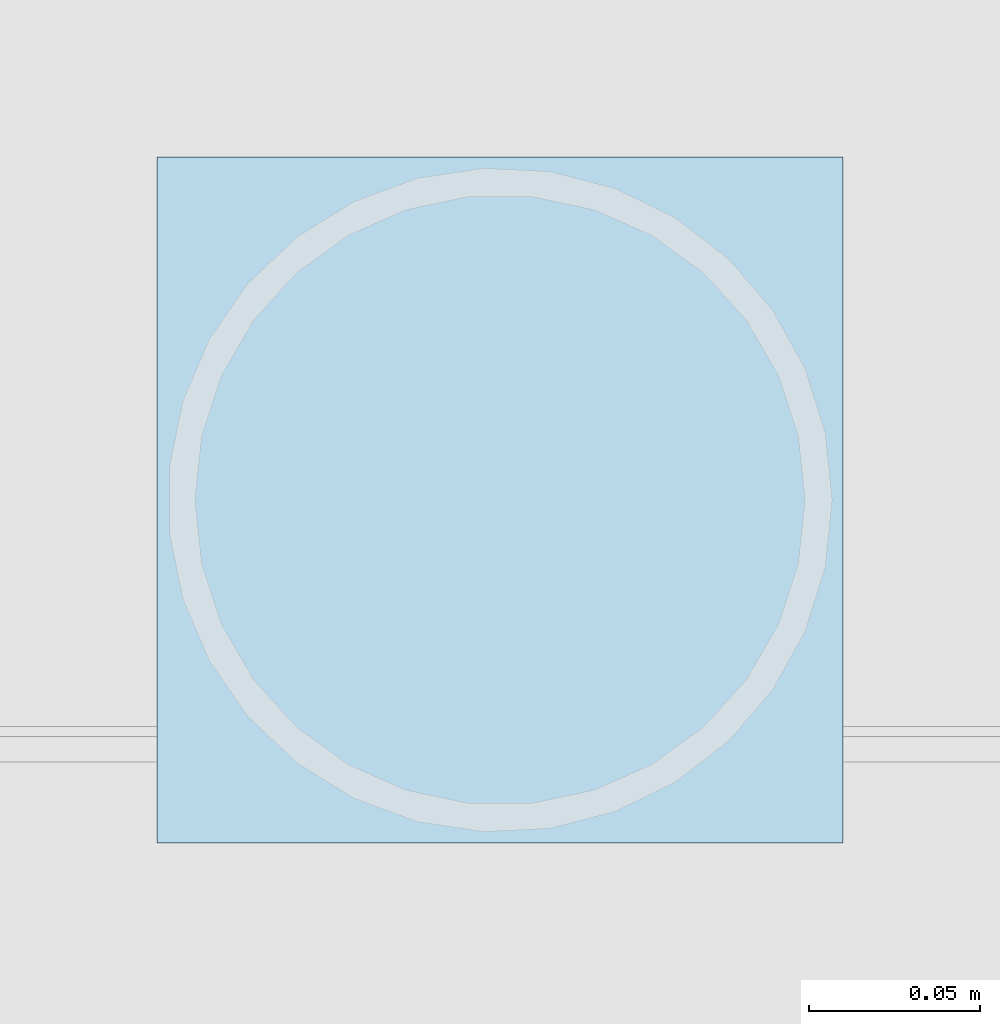
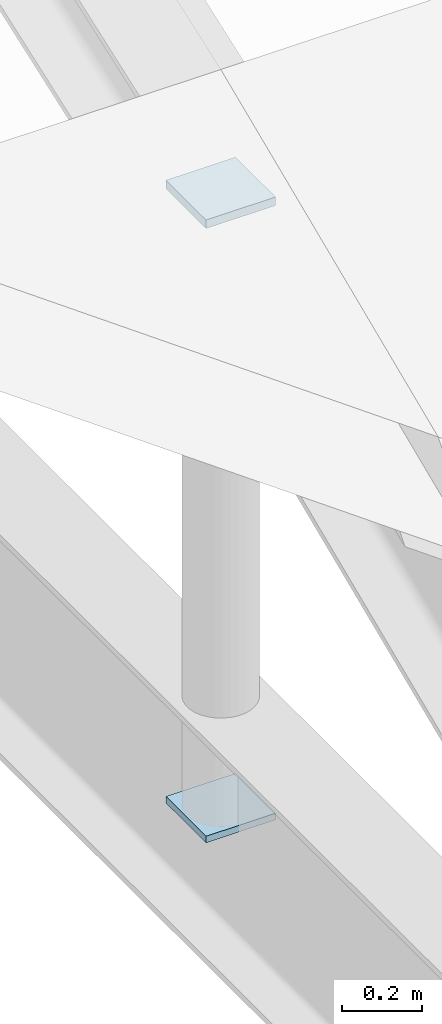
# One storey, part 220 of 239: 2 plates.
"""IFC4 building model written with IfcOpenShell, lengths in metres."""

from ifc_helpers import new_model, si_unit, direction, frame, origin, origin_2d, place, context, subcontext, project, spatial, rectangle, extrude, material, layer, layer_set, type_object, element, save


model = new_model("IFC4")

# Units and contexts
model_context = context("Model", 3, precision=1e-05, world=origin(), true_north=direction((0.0, 1.0)))
body_context = subcontext(model_context, "Body", "Model", "MODEL_VIEW")
ifc_project = project(units=[si_unit("LENGTHUNIT", "METRE"), si_unit("AREAUNIT", "SQUARE_METRE"), si_unit("VOLUMEUNIT", "CUBIC_METRE"), si_unit("PLANEANGLEUNIT", "RADIAN"), si_unit("MASSUNIT", "GRAM", prefix="KILO")], contexts=[model_context])

# Site, building, storey
site_placement = place(None, origin())
site = spatial("IfcSite", under=ifc_project, at=site_placement, CompositionType="ELEMENT")
building_placement = place(site_placement, origin())
building = spatial("IfcBuilding", under=site, at=building_placement, Name="Dunvalen Ferry Terminal", CompositionType="ELEMENT")
storey_placement = place(building_placement, frame((0.0, 0.0, 9.840087890625)))
storey = spatial("IfcBuildingStorey", under=building, at=storey_placement, Name="L02", CompositionType="ELEMENT", Elevation=9.840087890625)

# Plates
ifc_material = material(Name="Steel S355", Category="steel")
ifc_layer_1 = layer(ifc_material, 0.02001953125, Name="Steel S355")
ifc_layer_set_1 = layer_set([ifc_layer_1], Name="Steel S355")
plate_type_1 = type_object("IfcPlateType", Name="STR-PL-GUSSET-01", PredefinedType="USERDEFINED", material=ifc_layer_set_1)
plate_1_placement = place(storey_placement, frame((120.0, 61.199951171875, -0.35009765625), z_axis=(0.0, 0.0, 1.0), x_axis=(1.0, 0.0, 0.0)))
element("IfcPlate", 1, at=plate_1_placement, inside=storey, type_object=plate_type_1, Name="L02 Brace-Strut End Cleat Plate 441", ObjectType="GUSSET PLATE", PredefinedType="USERDEFINED", context=body_context, shape_type="SweptSolid", body=[
    extrude(rectangle(XDim=0.199951171875, YDim=0.199951171875, at=origin_2d()), origin(), (0.0, 0.0, 1.0), 0.02001953125),
])
ifc_layer_2 = layer(ifc_material, 0.02587890625, Name="Steel S355")
ifc_layer_set_2 = layer_set([ifc_layer_2], Name="Steel S355")
plate_type_2 = type_object("IfcPlateType", Name="STR-PL-GUSSET-02", PredefinedType="USERDEFINED", material=ifc_layer_set_2)
plate_2_placement = place(storey_placement, frame((120.0, 61.199951171875, 1.517578125), z_axis=(0.0, 0.0, 1.0), x_axis=(1.0, 0.0, 0.0)))
element("IfcPlate", 2, at=plate_2_placement, inside=storey, type_object=plate_type_2, Name="L02 Brace-Strut End Cleat Plate 442", ObjectType="GUSSET PLATE", PredefinedType="USERDEFINED", context=body_context, shape_type="SweptSolid", body=[
    extrude(rectangle(XDim=0.199951171875, YDim=0.199951171875, at=origin_2d()), origin(), (0.0, 0.0, 1.0), 0.02587890625),
])

save(model, "model.ifc")
